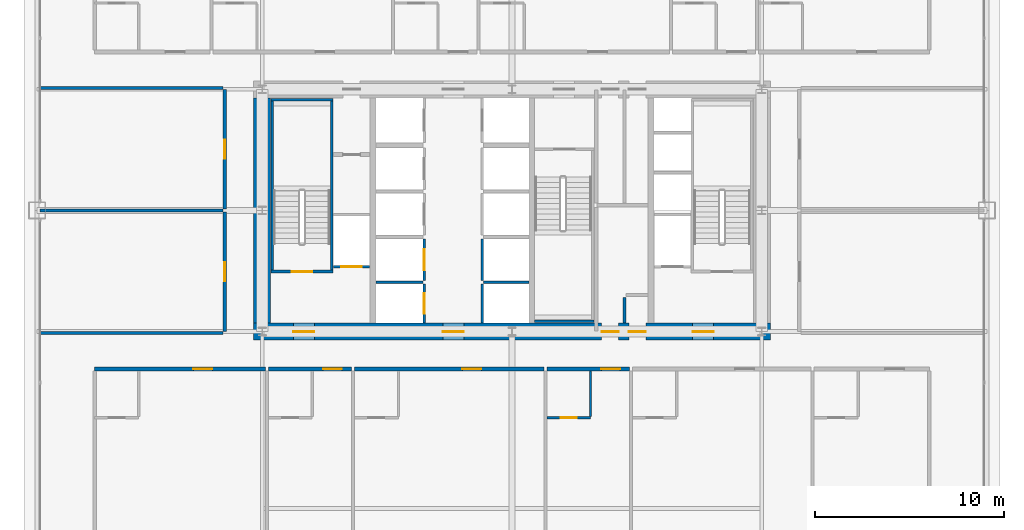
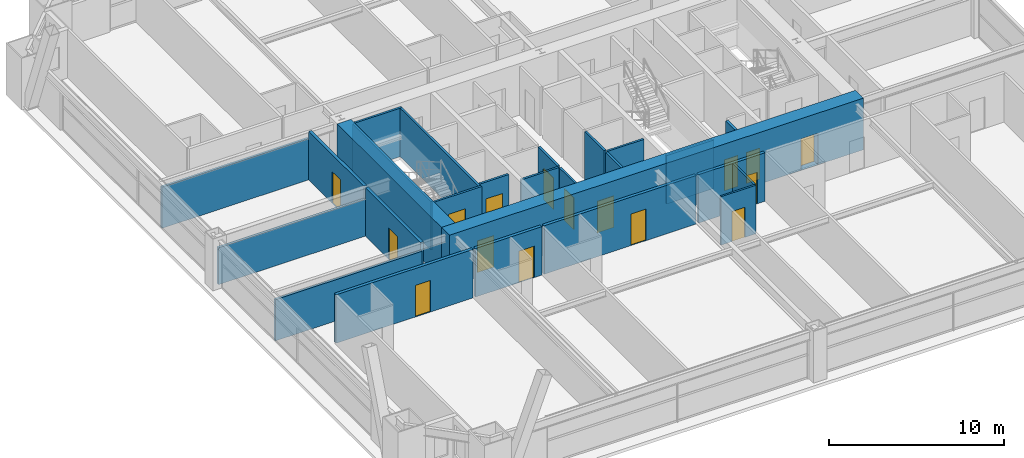
# One storey, part 39 of 43: 26 walls, 16 doors, 16 openings.
"""IFC4 building model written with IfcOpenShell, lengths in metres."""

from ifc_helpers import new_model, si_unit, direction, frame, frame_2d, origin, place, context, subcontext, project, spatial, rectangle, extrude, source, transform, mapped, material, layer, layer_set, type_object, element, fill, save


model = new_model("IFC4")

# Units and contexts
model_context = context("Model", 3, precision=1e-05, world=origin(), true_north=direction((0.0, 1.0)))
body_context = subcontext(model_context, "Body", "Model", "MODEL_VIEW")
ifc_project = project(units=[si_unit("LENGTHUNIT", "METRE"), si_unit("AREAUNIT", "SQUARE_METRE"), si_unit("VOLUMEUNIT", "CUBIC_METRE"), si_unit("PLANEANGLEUNIT", "RADIAN"), si_unit("MASSUNIT", "GRAM", prefix="KILO"), si_unit("THERMODYNAMICTEMPERATUREUNIT", "KELVIN"), si_unit("POWERUNIT", "WATT")], contexts=[model_context])

# Site, building, storey
site_placement = place(None, origin())
site = spatial("IfcSite", under=ifc_project, at=site_placement, CompositionType="ELEMENT")
building_placement = place(site_placement, origin())
building = spatial("IfcBuilding", under=site, at=building_placement, Name="Yuzanri Waterfront Tower", CompositionType="ELEMENT")
storey_placement = place(building_placement, frame((0.0, 0.0, 67.60009765625)))
storey = spatial("IfcBuildingStorey", under=building, at=storey_placement, Name="L17", CompositionType="ELEMENT", Elevation=67.60009765625)

# Wall, opening, door
ifc_material_1 = material(Name="Moisture-Resistant Gypsum Stud Wall", Category="gypsum")
ifc_layer_1 = layer(ifc_material_1, 0.1201171875)
ifc_layer_set_1 = layer_set([ifc_layer_1], Name="Moisture-Resistant Gypsum Stud Wall")
wall_type_1 = type_object("IfcWallType", Name="Bathroom and Kitchen Wet Partition 120", PredefinedType="PARTITIONING", material=ifc_layer_set_1)
wall_1_placement = place(storey_placement, frame((38.844970703125, 14.840087890625, 0.0), z_axis=(0.0, 0.0, 1.0), x_axis=(1.0, 0.0, 0.0)))
wall_1 = element("IfcWall", 1, at=wall_1_placement, inside=storey, type_object=wall_type_1, Name="L17 Partition UW-L17-S4-BS", PredefinedType="PARTITIONING", context=body_context, shape_type="SweptSolid", body=[
    extrude(rectangle(XDim=2.299072265625, YDim=0.1201171875, at=frame_2d((1.1494140625, 0.0))), origin(), (0.0, 0.0, 1.0), 3.3798828125),
])
opening_1_placement = place(wall_1_placement, frame((0.724609375, 0.0, 0.0)))
opening_1 = element("IfcOpeningElement", 2, at=opening_1_placement, cuts=wall_1, Name="Opening ID-0850", PredefinedType="OPENING", context=body_context, shape_type="SweptSolid", body=[
    extrude(rectangle(XDim=0.85009765625, YDim=2.10009765625, at=frame_2d((0.425048828125, 1.050048828125))), frame((0.0, 0.074951171875, 0.0), z_axis=(0.0, -1.0, 0.0), x_axis=(1.0, 0.0, 0.0)), (0.0, 0.0, 1.0), 0.14990234375),
])
ifc_material_2 = material(Name="Moisture-Resistant Lacquered Timber", Category="wood")
door_type_1 = type_object("IfcDoorType", Name="En-Suite Bathroom and Kitchen Swing Door 850x2100", OperationType="NOTDEFINED", PredefinedType="DOOR", material=ifc_material_2)
shared_shape_1 = source(origin(), body_context, "Body", "SweptSolid", [
    extrude(rectangle(XDim=0.85009765625, YDim=2.10009765625, at=frame_2d((0.425048828125, 1.050048828125))), frame((0.0, 0.02490234375, 0.0), z_axis=(0.0, -1.0, 0.0), x_axis=(1.0, 0.0, 0.0)), (0.0, 0.0, 1.0), 0.050048828125),
])
door_1_placement = place(opening_1_placement, origin())
door_1 = element("IfcDoor", 3, at=door_1_placement, inside=storey, type_object=door_type_1, Name="L17 Guest En-Suite Door", OperationType="SINGLE_SWING_LEFT", OverallHeight=2.10009765625, OverallWidth=0.85009765625, PredefinedType="DOOR", context=body_context, shape_type="MappedRepresentation", body=[
    mapped(shared_shape_1, transform((0.0, 0.0, 0.0), scale=1.0)),
])
fill(opening_1, door_1)

# Wall, openings, doors
ifc_material_3 = material(Name="Concrete C60", Category="concrete")
ifc_layer_2 = layer(ifc_material_3, 0.89990234375)
ifc_layer_set_2 = layer_set([ifc_layer_2], Name="Concrete C60")
wall_type_2 = type_object("IfcWallType", Name="Concrete C60 Lower Zone Core Shear Wall 900", PredefinedType="SHEAR", material=ifc_layer_set_2)
wall_2_placement = place(storey_placement, frame((23.35009765625, 19.39990234375, 0.0), z_axis=(0.0, 0.0, 1.0), x_axis=(1.0, 0.0, 0.0)))
wall_2 = element("IfcWall", 4, at=wall_2_placement, inside=storey, type_object=wall_type_2, Name="L17 Core South Shear Wall", PredefinedType="SHEAR", context=body_context, shape_type="SweptSolid", body=[
    extrude(rectangle(XDim=27.2998046875, YDim=0.89990234375, at=frame_2d((13.64990234375, 0.0))), origin(), (0.0, 0.0, 1.0), 3.599853515625),
])
opening_2_placement = place(wall_2_placement, frame((2.10009765625, 0.0, 0.0)))
opening_2 = element("IfcOpeningElement", 5, at=opening_2_placement, cuts=wall_2, Name="Opening FD-1100", PredefinedType="OPENING", context=body_context, shape_type="SweptSolid", body=[
    extrude(rectangle(XDim=1.10009765625, YDim=2.199951171875, at=frame_2d((0.550048828125, 1.10009765625))), frame((0.0, 0.46484375, 0.0), z_axis=(0.0, -1.0, 0.0), x_axis=(1.0, 0.0, 0.0)), (0.0, 0.0, 1.0), 0.9296875),
])
opening_3_placement = place(wall_2_placement, frame((10.0, 0.0, 0.0)))
opening_3 = element("IfcOpeningElement", 6, at=opening_3_placement, cuts=wall_2, Name="Opening FD-1100", PredefinedType="OPENING", context=body_context, shape_type="SweptSolid", body=[
    extrude(rectangle(XDim=1.10009765625, YDim=2.199951171875, at=frame_2d((0.550048828125, 1.10009765625))), frame((0.0, 0.46484375, 0.0), z_axis=(0.0, -1.0, 0.0), x_axis=(1.0, 0.0, 0.0)), (0.0, 0.0, 1.0), 0.9296875),
])
opening_4_placement = place(wall_2_placement, frame((23.199951171875, 0.0, 0.0)))
opening_4 = element("IfcOpeningElement", 7, at=opening_4_placement, cuts=wall_2, Name="Opening FD-1100", PredefinedType="OPENING", context=body_context, shape_type="SweptSolid", body=[
    extrude(rectangle(XDim=1.10009765625, YDim=2.199951171875, at=frame_2d((0.550048828125, 1.10009765625))), frame((0.0, 0.46484375, 0.0), z_axis=(0.0, -1.0, 0.0), x_axis=(1.0, 0.0, 0.0)), (0.0, 0.0, 1.0), 0.9296875),
])
opening_5_placement = place(wall_2_placement, frame((19.820068359375, 0.0, 0.0)))
opening_5 = element("IfcOpeningElement", 8, at=opening_5_placement, cuts=wall_2, Name="Opening FD-0900", PredefinedType="OPENING", context=body_context, shape_type="SweptSolid", body=[
    extrude(rectangle(XDim=0.89990234375, YDim=2.14990234375, at=frame_2d((0.449951171875, 1.074951171875))), frame((0.0, 0.46484375, 0.0), z_axis=(0.0, -1.0, 0.0), x_axis=(1.0, 0.0, 0.0)), (0.0, 0.0, 1.0), 0.9296875),
])
opening_6_placement = place(wall_2_placement, frame((18.3798828125, 0.0, 0.0)))
opening_6 = element("IfcOpeningElement", 9, at=opening_6_placement, cuts=wall_2, Name="Opening FD-0900", PredefinedType="OPENING", context=body_context, shape_type="SweptSolid", body=[
    extrude(rectangle(XDim=0.89990234375, YDim=2.14990234375, at=frame_2d((0.449951171875, 1.074951171875))), frame((0.0, 0.46484375, 0.0), z_axis=(0.0, -1.0, 0.0), x_axis=(1.0, 0.0, 0.0)), (0.0, 0.0, 1.0), 0.9296875),
])
ifc_material_4 = material(Name="Painted Galvanized Fire Steel", Category="steel")
door_type_2 = type_object("IfcDoorType", Name="Smoke-Proof Stair and Lobby Fire Door 1100x2200", OperationType="NOTDEFINED", PredefinedType="DOOR", material=ifc_material_4)
shared_shape_2 = source(origin(), body_context, "Body", "SweptSolid", [
    extrude(rectangle(XDim=1.10009765625, YDim=2.199951171875, at=frame_2d((0.550048828125, 1.10009765625))), frame((0.0, 0.02490234375, 0.0), z_axis=(0.0, -1.0, 0.0), x_axis=(1.0, 0.0, 0.0)), (0.0, 0.0, 1.0), 0.050048828125),
])
door_2_placement = place(opening_2_placement, origin())
door_2 = element("IfcDoor", 10, at=door_2_placement, inside=storey, type_object=door_type_2, Name="L17 West Firefighting Lobby Door", OperationType="SINGLE_SWING_LEFT", OverallHeight=2.199951171875, OverallWidth=1.10009765625, PredefinedType="DOOR", context=body_context, shape_type="MappedRepresentation", body=[
    mapped(shared_shape_2, transform((0.0, 0.0, 0.0), scale=1.0)),
])
fill(opening_2, door_2)
door_3_placement = place(opening_3_placement, origin())
door_3 = element("IfcDoor", 11, at=door_3_placement, inside=storey, type_object=door_type_2, Name="L17 Central Lift Lobby South Door", OperationType="SINGLE_SWING_RIGHT", OverallHeight=2.199951171875, OverallWidth=1.10009765625, PredefinedType="DOOR", context=body_context, shape_type="MappedRepresentation", body=[
    mapped(shared_shape_2, transform((0.0, 0.0, 0.0), scale=1.0)),
])
fill(opening_3, door_3)
door_4_placement = place(opening_4_placement, origin())
door_4 = element("IfcDoor", 12, at=door_4_placement, inside=storey, type_object=door_type_2, Name="L17 East Firefighting Lobby Door", OperationType="SINGLE_SWING_LEFT", OverallHeight=2.199951171875, OverallWidth=1.10009765625, PredefinedType="DOOR", context=body_context, shape_type="MappedRepresentation", body=[
    mapped(shared_shape_2, transform((0.0, 0.0, 0.0), scale=1.0)),
])
fill(opening_4, door_4)
ifc_material_5 = material(Name="Painted Galvanized Fire Steel", Category="steel")
door_type_3 = type_object("IfcDoorType", Name="Riser and Service Room Fire Door 900x2150", OperationType="NOTDEFINED", PredefinedType="DOOR", material=ifc_material_5)
shared_shape_3 = source(origin(), body_context, "Body", "SweptSolid", [
    extrude(rectangle(XDim=0.89990234375, YDim=2.14990234375, at=frame_2d((0.449951171875, 1.074951171875))), frame((0.0, 0.02490234375, 0.0), z_axis=(0.0, -1.0, 0.0), x_axis=(1.0, 0.0, 0.0)), (0.0, 0.0, 1.0), 0.050048828125),
])
door_5_placement = place(opening_5_placement, origin())
door_5 = element("IfcDoor", 13, at=door_5_placement, inside=storey, type_object=door_type_3, Name="L17 East Wet Riser Door", OperationType="SINGLE_SWING_RIGHT", OverallHeight=2.14990234375, OverallWidth=0.89990234375, PredefinedType="DOOR", context=body_context, shape_type="MappedRepresentation", body=[
    mapped(shared_shape_3, transform((0.0, 0.0, 0.0), scale=1.0)),
])
fill(opening_5, door_5)
door_6_placement = place(opening_6_placement, origin())
door_6 = element("IfcDoor", 14, at=door_6_placement, inside=storey, type_object=door_type_3, Name="L17 Housekeeping Room", OperationType="SINGLE_SWING_LEFT", OverallHeight=2.14990234375, OverallWidth=0.89990234375, PredefinedType="DOOR", context=body_context, shape_type="MappedRepresentation", body=[
    mapped(shared_shape_3, transform((0.0, 0.0, 0.0), scale=1.0)),
])
fill(opening_6, door_6)

# Wall, opening, door
ifc_material_6 = material(Name="Concrete C40", Category="concrete")
ifc_layer_3 = layer(ifc_material_6, 0.139892578125)
ifc_layer_set_3 = layer_set([ifc_layer_3], Name="Concrete C40")
wall_type_3 = type_object("IfcWallType", Name="Core Stair Liner and Hoistway Shaft Wall 140", PredefinedType="SOLIDWALL", material=ifc_layer_set_3)
wall_3_placement = place(storey_placement, frame((27.56005859375, 22.830078125, 0.0), z_axis=(0.0, 0.0, 1.0), x_axis=(1.0, 0.0, 0.0)))
wall_3 = element("IfcWall", 15, at=wall_3_placement, inside=storey, type_object=wall_type_3, Name="L17 Lift FL-01 Front Shaft Wall", PredefinedType="SOLIDWALL", context=body_context, shape_type="SweptSolid", body=[
    extrude(rectangle(XDim=1.919921875, YDim=0.139892578125, at=frame_2d((0.9599609375, 0.0))), origin(), (0.0, 0.0, 1.0), 3.3798828125),
])
opening_7_placement = place(wall_3_placement, frame((0.409912109375, 0.0, 0.0)))
opening_7 = element("IfcOpeningElement", 16, at=opening_7_placement, cuts=wall_3, Name="Opening LD-FL-01", PredefinedType="OPENING", context=body_context, shape_type="SweptSolid", body=[
    extrude(rectangle(XDim=1.10009765625, YDim=2.199951171875, at=frame_2d((0.550048828125, 1.10009765625))), frame((0.0, 0.0849609375, 0.0), z_axis=(0.0, -1.0, 0.0), x_axis=(1.0, 0.0, 0.0)), (0.0, 0.0, 1.0), 0.169677734375),
])
ifc_material_7 = material(Name="Brushed Bronze and Stainless Steel Cab", Category="steel")
door_type_4 = type_object("IfcDoorType", Name="Center-Parting Bronze Lift Landing Sliding Door 1100x2200", OperationType="NOTDEFINED", PredefinedType="DOOR", material=ifc_material_7)
shared_shape_4 = source(origin(), body_context, "Body", "SweptSolid", [
    extrude(rectangle(XDim=1.10009765625, YDim=2.199951171875, at=frame_2d((0.550048828125, 1.10009765625))), frame((0.0, 0.02490234375, 0.0), z_axis=(0.0, -1.0, 0.0), x_axis=(1.0, 0.0, 0.0)), (0.0, 0.0, 1.0), 0.050048828125),
])
door_7_placement = place(opening_7_placement, origin())
door_7 = element("IfcDoor", 17, at=door_7_placement, inside=storey, type_object=door_type_4, Name="L17 FL-01 Lift Landing Sliding Door", OperationType="SLIDING_TO_LEFT", OverallHeight=2.199951171875, OverallWidth=1.10009765625, PredefinedType="DOOR", context=body_context, shape_type="MappedRepresentation", body=[
    mapped(shared_shape_4, transform((0.0, 0.0, 0.0), scale=1.0)),
])
fill(opening_7, door_7)

wall_4_placement = place(storey_placement, frame((32.3701171875, 19.860107421875, 0.0), z_axis=(0.0, 0.0, 1.0), x_axis=(0.0, 1.0, 0.0)))
wall_4 = element("IfcWall", 18, at=wall_4_placement, inside=storey, type_object=wall_type_3, Name="L17 Lift PL-01 Front Shaft Wall", PredefinedType="SOLIDWALL", context=body_context, shape_type="SweptSolid", body=[
    extrude(rectangle(XDim=2.039794921875, YDim=0.139892578125, at=frame_2d((1.02001953125, 0.0))), origin(), (0.0, 0.0, 1.0), 3.3798828125),
])
opening_8_placement = place(wall_4_placement, frame((0.469970703125, 0.0, 0.0)))
opening_8 = element("IfcOpeningElement", 19, at=opening_8_placement, cuts=wall_4, Name="Opening LD-PL-01", PredefinedType="OPENING", context=body_context, shape_type="SweptSolid", body=[
    extrude(rectangle(XDim=1.10009765625, YDim=2.199951171875, at=frame_2d((0.550048828125, 1.10009765625))), frame((0.0, 0.0849609375, 0.0), z_axis=(0.0, -1.0, 0.0), x_axis=(1.0, 0.0, 0.0)), (0.0, 0.0, 1.0), 0.169677734375),
])
door_8_placement = place(opening_8_placement, origin())
door_8 = element("IfcDoor", 20, at=door_8_placement, inside=storey, type_object=door_type_4, Name="L17 PL-01 Lift Landing Sliding Door", OperationType="SLIDING_TO_LEFT", OverallHeight=2.199951171875, OverallWidth=1.10009765625, PredefinedType="DOOR", context=body_context, shape_type="MappedRepresentation", body=[
    mapped(shared_shape_4, transform((0.0, 0.0, 0.0), scale=1.0)),
])
fill(opening_8, door_8)

wall_5_placement = place(storey_placement, frame((32.3701171875, 22.10009765625, 0.0), z_axis=(0.0, 0.0, 1.0), x_axis=(0.0, 1.0, 0.0)))
wall_5 = element("IfcWall", 21, at=wall_5_placement, inside=storey, type_object=wall_type_3, Name="L17 Lift PL-02 Front Shaft Wall", PredefinedType="SOLIDWALL", context=body_context, shape_type="SweptSolid", body=[
    extrude(rectangle(XDim=2.199951171875, YDim=0.139892578125, at=frame_2d((1.10009765625, 0.0))), origin(), (0.0, 0.0, 1.0), 3.3798828125),
])
opening_9_placement = place(wall_5_placement, frame((0.550048828125, 0.0, 0.0)))
opening_9 = element("IfcOpeningElement", 22, at=opening_9_placement, cuts=wall_5, Name="Opening LD-PL-02", PredefinedType="OPENING", context=body_context, shape_type="SweptSolid", body=[
    extrude(rectangle(XDim=1.10009765625, YDim=2.199951171875, at=frame_2d((0.550048828125, 1.10009765625))), frame((0.0, 0.0849609375, 0.0), z_axis=(0.0, -1.0, 0.0), x_axis=(1.0, 0.0, 0.0)), (0.0, 0.0, 1.0), 0.169677734375),
])
door_9_placement = place(opening_9_placement, origin())
door_9 = element("IfcDoor", 23, at=door_9_placement, inside=storey, type_object=door_type_4, Name="L17 PL-02 Lift Landing Sliding Door", OperationType="SLIDING_TO_RIGHT", OverallHeight=2.199951171875, OverallWidth=1.10009765625, PredefinedType="DOOR", context=body_context, shape_type="MappedRepresentation", body=[
    mapped(shared_shape_4, transform((0.0, 0.0, 0.0), scale=1.0)),
])
fill(opening_9, door_9)

wall_6_placement = place(storey_placement, frame((24.260009765625, 22.570068359375, 0.0), z_axis=(0.0, 0.0, 1.0), x_axis=(1.0, 0.0, 0.0)))
wall_6 = element("IfcWall", 24, at=wall_6_placement, inside=storey, type_object=wall_type_3, Name="L17 Shaft Wall STW-L17-ST-01-S", PredefinedType="SOLIDWALL", context=body_context, shape_type="SweptSolid", body=[
    extrude(rectangle(XDim=3.280029296875, YDim=0.139892578125, at=frame_2d((1.64013671875, 0.0))), origin(), (0.0, 0.0, 1.0), 3.3798828125),
])
opening_10_placement = place(wall_6_placement, frame((1.090087890625, 0.0, 0.0)))
opening_10 = element("IfcOpeningElement", 25, at=opening_10_placement, cuts=wall_6, Name="Opening FD-1100", PredefinedType="OPENING", context=body_context, shape_type="SweptSolid", body=[
    extrude(rectangle(XDim=1.10009765625, YDim=2.199951171875, at=frame_2d((0.550048828125, 1.10009765625))), frame((0.0, 0.0849609375, 0.0), z_axis=(0.0, -1.0, 0.0), x_axis=(1.0, 0.0, 0.0)), (0.0, 0.0, 1.0), 0.169677734375),
])
door_10_placement = place(opening_10_placement, origin())
door_10 = element("IfcDoor", 26, at=door_10_placement, inside=storey, type_object=door_type_2, Name="L17 Stair ST-01 Fire Door", OperationType="SINGLE_SWING_RIGHT", OverallHeight=2.199951171875, OverallWidth=1.10009765625, PredefinedType="DOOR", context=body_context, shape_type="MappedRepresentation", body=[
    mapped(shared_shape_2, transform((0.0, 0.0, 0.0), scale=1.0)),
])
fill(opening_10, door_10)

ifc_material_8 = material(Name="Autoclaved Aerated Concrete Blockwork", Category="masonry")
ifc_layer_4 = layer(ifc_material_8, 0.199951171875)
ifc_layer_set_4 = layer_set([ifc_layer_4], Name="Autoclaved Aerated Concrete Blockwork")
wall_type_4 = type_object("IfcWallType", Name="Corridor and Unit Party Fire Wall 200", PredefinedType="PARTITIONING", material=ifc_layer_set_4)
wall_7_placement = place(storey_placement, frame((14.93994140625, 17.419921875, 0.0), z_axis=(0.0, 0.0, 1.0), x_axis=(1.0, 0.0, 0.0)))
wall_7 = element("IfcWall", 27, at=wall_7_placement, inside=storey, type_object=wall_type_4, Name="L17 Partition UW-L17-S1-CN", PredefinedType="PARTITIONING", context=body_context, shape_type="SweptSolid", body=[
    extrude(rectangle(XDim=9.0380859375, YDim=0.199951171875, at=frame_2d((4.51904296875, 0.0))), origin(), (0.0, 0.0, 1.0), 3.3798828125),
])
opening_11_placement = place(wall_7_placement, frame((5.22412109375, 0.0, 0.0)))
opening_11 = element("IfcOpeningElement", 28, at=opening_11_placement, cuts=wall_7, Name="Opening FD-1000", PredefinedType="OPENING", context=body_context, shape_type="SweptSolid", body=[
    extrude(rectangle(XDim=1.0, YDim=2.199951171875, at=frame_2d((0.5, 1.10009765625))), frame((0.0, 0.11474609375, 0.0), z_axis=(0.0, -1.0, 0.0), x_axis=(1.0, 0.0, 0.0)), (0.0, 0.0, 1.0), 0.229736328125),
])
ifc_material_9 = material(Name="Engineered Oak Fire-Rated Timber", Category="wood")
door_type_5 = type_object("IfcDoorType", Name="Guestroom and Apartment Entrance Fire Door 1000x2200", OperationType="NOTDEFINED", PredefinedType="DOOR", material=ifc_material_9)
shared_shape_5 = source(origin(), body_context, "Body", "SweptSolid", [
    extrude(rectangle(XDim=1.0, YDim=2.199951171875, at=frame_2d((0.5, 1.10009765625))), frame((0.0, 0.02490234375, 0.0), z_axis=(0.0, -1.0, 0.0), x_axis=(1.0, 0.0, 0.0)), (0.0, 0.0, 1.0), 0.050048828125),
])
door_11_placement = place(opening_11_placement, origin())
door_11 = element("IfcDoor", 29, at=door_11_placement, inside=storey, type_object=door_type_5, Name="L17 Junior Riverview Suite Entrance Door", OperationType="SINGLE_SWING_RIGHT", OverallHeight=2.199951171875, OverallWidth=1.0, PredefinedType="DOOR", context=body_context, shape_type="MappedRepresentation", body=[
    mapped(shared_shape_5, transform((0.0, 0.0, 0.0), scale=1.0)),
])
fill(opening_11, door_11)

wall_8_placement = place(storey_placement, frame((24.137939453125, 17.419921875, 0.0), z_axis=(0.0, 0.0, 1.0), x_axis=(1.0, 0.0, 0.0)))
wall_8 = element("IfcWall", 30, at=wall_8_placement, inside=storey, type_object=wall_type_4, Name="L17 Partition UW-L17-S2-CN", PredefinedType="PARTITIONING", context=body_context, shape_type="SweptSolid", body=[
    extrude(rectangle(XDim=4.3701171875, YDim=0.199951171875, at=frame_2d((2.18505859375, 0.0))), origin(), (0.0, 0.0, 1.0), 3.3798828125),
])
opening_12_placement = place(wall_8_placement, frame((2.875, 0.0, 0.0)))
opening_12 = element("IfcOpeningElement", 31, at=opening_12_placement, cuts=wall_8, Name="Opening FD-1000", PredefinedType="OPENING", context=body_context, shape_type="SweptSolid", body=[
    extrude(rectangle(XDim=1.0, YDim=2.199951171875, at=frame_2d((0.5, 1.10009765625))), frame((0.0, 0.11474609375, 0.0), z_axis=(0.0, -1.0, 0.0), x_axis=(1.0, 0.0, 0.0)), (0.0, 0.0, 1.0), 0.229736328125),
])
door_12_placement = place(opening_12_placement, origin())
door_12 = element("IfcDoor", 32, at=door_12_placement, inside=storey, type_object=door_type_5, Name="L17 Junior Riverview Suite Entrance Door", OperationType="SINGLE_SWING_RIGHT", OverallHeight=2.199951171875, OverallWidth=1.0, PredefinedType="DOOR", context=body_context, shape_type="MappedRepresentation", body=[
    mapped(shared_shape_5, transform((0.0, 0.0, 0.0), scale=1.0)),
])
fill(opening_12, door_12)

wall_9_placement = place(storey_placement, frame((28.66796875, 17.419921875, 0.0), z_axis=(0.0, 0.0, 1.0), x_axis=(1.0, 0.0, 0.0)))
wall_9 = element("IfcWall", 33, at=wall_9_placement, inside=storey, type_object=wall_type_4, Name="L17 Partition UW-L17-S3-CN", PredefinedType="PARTITIONING", context=body_context, shape_type="SweptSolid", body=[
    extrude(rectangle(XDim=10.01708984375, YDim=0.199951171875, at=frame_2d((5.008544921875, 0.0))), origin(), (0.0, 0.0, 1.0), 3.3798828125),
])
opening_13_placement = place(wall_9_placement, frame((5.714111328125, 0.0, 0.0)))
opening_13 = element("IfcOpeningElement", 34, at=opening_13_placement, cuts=wall_9, Name="Opening FD-1000", PredefinedType="OPENING", context=body_context, shape_type="SweptSolid", body=[
    extrude(rectangle(XDim=1.0, YDim=2.199951171875, at=frame_2d((0.5, 1.10009765625))), frame((0.0, 0.11474609375, 0.0), z_axis=(0.0, -1.0, 0.0), x_axis=(1.0, 0.0, 0.0)), (0.0, 0.0, 1.0), 0.229736328125),
])
door_13_placement = place(opening_13_placement, origin())
door_13 = element("IfcDoor", 35, at=door_13_placement, inside=storey, type_object=door_type_5, Name="L17 Junior Riverview Suite Entrance Door", OperationType="SINGLE_SWING_RIGHT", OverallHeight=2.199951171875, OverallWidth=1.0, PredefinedType="DOOR", context=body_context, shape_type="MappedRepresentation", body=[
    mapped(shared_shape_5, transform((0.0, 0.0, 0.0), scale=1.0)),
])
fill(opening_13, door_13)

wall_10_placement = place(storey_placement, frame((38.844970703125, 17.419921875, 0.0), z_axis=(0.0, 0.0, 1.0), x_axis=(1.0, 0.0, 0.0)))
wall_10 = element("IfcWall", 36, at=wall_10_placement, inside=storey, type_object=wall_type_4, Name="L17 Partition UW-L17-S4-CN", PredefinedType="PARTITIONING", context=body_context, shape_type="SweptSolid", body=[
    extrude(rectangle(XDim=4.369140625, YDim=0.199951171875, at=frame_2d((2.1845703125, 0.0))), origin(), (0.0, 0.0, 1.0), 3.3798828125),
])
opening_14_placement = place(wall_10_placement, frame((2.8740234375, 0.0, 0.0)))
opening_14 = element("IfcOpeningElement", 37, at=opening_14_placement, cuts=wall_10, Name="Opening FD-1000", PredefinedType="OPENING", context=body_context, shape_type="SweptSolid", body=[
    extrude(rectangle(XDim=1.0, YDim=2.199951171875, at=frame_2d((0.5, 1.10009765625))), frame((0.0, 0.11474609375, 0.0), z_axis=(0.0, -1.0, 0.0), x_axis=(1.0, 0.0, 0.0)), (0.0, 0.0, 1.0), 0.229736328125),
])
door_14_placement = place(opening_14_placement, origin())
door_14 = element("IfcDoor", 38, at=door_14_placement, inside=storey, type_object=door_type_5, Name="L17 Junior Riverview Suite Entrance Door", OperationType="SINGLE_SWING_RIGHT", OverallHeight=2.199951171875, OverallWidth=1.0, PredefinedType="DOOR", context=body_context, shape_type="MappedRepresentation", body=[
    mapped(shared_shape_5, transform((0.0, 0.0, 0.0), scale=1.0)),
])
fill(opening_14, door_14)

wall_11_placement = place(storey_placement, frame((21.820068359375, 19.409912109375, 0.0), z_axis=(0.0, 0.0, 1.0), x_axis=(0.0, 1.0, 0.0)))
wall_11 = element("IfcWall", 39, at=wall_11_placement, inside=storey, type_object=wall_type_4, Name="L17 Partition UW-L17-W1-CW", PredefinedType="PARTITIONING", context=body_context, shape_type="SweptSolid", body=[
    extrude(rectangle(XDim=6.31005859375, YDim=0.199951171875, at=frame_2d((3.155029296875, 0.0))), origin(), (0.0, 0.0, 1.0), 3.3798828125),
])
opening_15_placement = place(wall_11_placement, frame((2.655029296875, 0.0, 0.0)))
opening_15 = element("IfcOpeningElement", 40, at=opening_15_placement, cuts=wall_11, Name="Opening FD-1000", PredefinedType="OPENING", context=body_context, shape_type="SweptSolid", body=[
    extrude(rectangle(XDim=1.0, YDim=2.199951171875, at=frame_2d((0.5, 1.10009765625))), frame((0.0, 0.11474609375, 0.0), z_axis=(0.0, -1.0, 0.0), x_axis=(1.0, 0.0, 0.0)), (0.0, 0.0, 1.0), 0.229736328125),
])
door_15_placement = place(opening_15_placement, origin())
door_15 = element("IfcDoor", 41, at=door_15_placement, inside=storey, type_object=door_type_5, Name="L17 Tea Ceremony Restaurant Entrance Door", OperationType="SINGLE_SWING_RIGHT", OverallHeight=2.199951171875, OverallWidth=1.0, PredefinedType="DOOR", context=body_context, shape_type="MappedRepresentation", body=[
    mapped(shared_shape_5, transform((0.0, 0.0, 0.0), scale=1.0)),
])
fill(opening_15, door_15)

wall_12_placement = place(storey_placement, frame((21.820068359375, 25.8798828125, 0.0), z_axis=(0.0, 0.0, 1.0), x_axis=(0.0, 1.0, 0.0)))
wall_12 = element("IfcWall", 42, at=wall_12_placement, inside=storey, type_object=wall_type_4, Name="L17 Partition UW-L17-W2-CW", PredefinedType="PARTITIONING", context=body_context, shape_type="SweptSolid", body=[
    extrude(rectangle(XDim=6.31005859375, YDim=0.199951171875, at=frame_2d((3.155029296875, 0.0))), origin(), (0.0, 0.0, 1.0), 3.3798828125),
])
opening_16_placement = place(wall_12_placement, frame((2.655029296875, 0.0, 0.0)))
opening_16 = element("IfcOpeningElement", 43, at=opening_16_placement, cuts=wall_12, Name="Opening FD-1000", PredefinedType="OPENING", context=body_context, shape_type="SweptSolid", body=[
    extrude(rectangle(XDim=1.0, YDim=2.199951171875, at=frame_2d((0.5, 1.10009765625))), frame((0.0, 0.11474609375, 0.0), z_axis=(0.0, -1.0, 0.0), x_axis=(1.0, 0.0, 0.0)), (0.0, 0.0, 1.0), 0.229736328125),
])
door_16_placement = place(opening_16_placement, origin())
door_16 = element("IfcDoor", 44, at=door_16_placement, inside=storey, type_object=door_type_5, Name="L17 Specialty Dining Restaurant Entrance Door", OperationType="SINGLE_SWING_LEFT", OverallHeight=2.199951171875, OverallWidth=1.0, PredefinedType="DOOR", context=body_context, shape_type="MappedRepresentation", body=[
    mapped(shared_shape_5, transform((0.0, 0.0, 0.0), scale=1.0)),
])
fill(opening_16, door_16)

# Walls
shared_shape_6 = source(origin(), body_context, "Body", "SweptSolid", [
    extrude(rectangle(XDim=11.89990234375, YDim=0.89990234375, at=frame_2d((5.949951171875, 0.0))), origin(), (0.0, 0.0, 1.0), 3.599853515625),
])
wall_13_placement = place(storey_placement, frame((23.800048828125, 19.85009765625, 0.0), z_axis=(0.0, 0.0, 1.0), x_axis=(0.0, 1.0, 0.0)))
element("IfcWall", 45, at=wall_13_placement, inside=storey, type_object=wall_type_2, Name="L17 Core West Shear Wall", PredefinedType="SHEAR", context=body_context, shape_type="MappedRepresentation", body=[
    mapped(shared_shape_6, transform((0.0, 0.0, 0.0), scale=1.0)),
])
shared_shape_7 = source(origin(), body_context, "Body", "SweptSolid", [
    extrude(rectangle(XDim=2.5, YDim=0.139892578125, at=frame_2d((1.25, 0.0))), origin(), (0.0, 0.0, 1.0), 3.3798828125),
])
wall_14_placement = place(storey_placement, frame((29.800048828125, 22.0, 0.0), z_axis=(0.0, 0.0, 1.0), x_axis=(1.0, 0.0, 0.0)))
element("IfcWall", 46, at=wall_14_placement, inside=storey, type_object=wall_type_3, Name="L17 Lift PL-01 Divider Wall", PredefinedType="SOLIDWALL", context=body_context, shape_type="MappedRepresentation", body=[
    mapped(shared_shape_7, transform((0.0, 0.0, 0.0), scale=1.0)),
])
shared_shape_8 = source(origin(), body_context, "Body", "SweptSolid", [
    extrude(rectangle(XDim=2.039794921875, YDim=0.139892578125, at=frame_2d((1.02001953125, 0.0))), origin(), (0.0, 0.0, 1.0), 3.3798828125),
])
wall_15_placement = place(storey_placement, frame((35.429931640625, 19.860107421875, 0.0), z_axis=(0.0, 0.0, 1.0), x_axis=(0.0, 1.0, 0.0)))
element("IfcWall", 47, at=wall_15_placement, inside=storey, type_object=wall_type_3, Name="L17 Lift PL-05 Front Shaft Wall", PredefinedType="SOLIDWALL", context=body_context, shape_type="MappedRepresentation", body=[
    mapped(shared_shape_8, transform((0.0, 0.0, 0.0), scale=1.0)),
])
shared_shape_9 = source(origin(), body_context, "Body", "SweptSolid", [
    extrude(rectangle(XDim=2.39990234375, YDim=0.139892578125, at=frame_2d((1.199951171875, 0.0))), origin(), (0.0, 0.0, 1.0), 3.3798828125),
])
wall_16_placement = place(storey_placement, frame((35.5, 22.0, 0.0), z_axis=(0.0, 0.0, 1.0), x_axis=(1.0, 0.0, 0.0)))
element("IfcWall", 48, at=wall_16_placement, inside=storey, type_object=wall_type_3, Name="L17 Lift PL-05 Divider Wall", PredefinedType="SOLIDWALL", context=body_context, shape_type="MappedRepresentation", body=[
    mapped(shared_shape_9, transform((0.0, 0.0, 0.0), scale=1.0)),
])
shared_shape_10 = source(origin(), body_context, "Body", "SweptSolid", [
    extrude(rectangle(XDim=2.199951171875, YDim=0.139892578125, at=frame_2d((1.10009765625, 0.0))), origin(), (0.0, 0.0, 1.0), 3.3798828125),
])
wall_17_placement = place(storey_placement, frame((35.429931640625, 22.10009765625, 0.0), z_axis=(0.0, 0.0, 1.0), x_axis=(0.0, 1.0, 0.0)))
element("IfcWall", 49, at=wall_17_placement, inside=storey, type_object=wall_type_3, Name="L17 Lift PL-06 Front Shaft Wall", PredefinedType="SOLIDWALL", context=body_context, shape_type="MappedRepresentation", body=[
    mapped(shared_shape_10, transform((0.0, 0.0, 0.0), scale=1.0)),
])
shared_shape_11 = source(origin(), body_context, "Body", "SweptSolid", [
    extrude(rectangle(XDim=3.280029296875, YDim=0.139892578125, at=frame_2d((1.64013671875, 0.0))), origin(), (0.0, 0.0, 1.0), 3.3798828125),
])
wall_18_placement = place(storey_placement, frame((24.260009765625, 31.64990234375, 0.0), z_axis=(0.0, 0.0, 1.0), x_axis=(1.0, 0.0, 0.0)))
element("IfcWall", 50, at=wall_18_placement, inside=storey, type_object=wall_type_3, Name="L17 Stair ST-01 North Shaft Wall", PredefinedType="SOLIDWALL", context=body_context, shape_type="MappedRepresentation", body=[
    mapped(shared_shape_11, transform((0.0, 0.0, 0.0), scale=1.0)),
])
shared_shape_12 = source(origin(), body_context, "Body", "SweptSolid", [
    extrude(rectangle(XDim=8.940185546875, YDim=0.139892578125, at=frame_2d((4.47021484375, 0.0))), origin(), (0.0, 0.0, 1.0), 3.3798828125),
])
for number, where, z_axis, x_axis, name in (
    (51, (24.330078125, 22.639892578125, 0.0), (0.0, 0.0, 1.0), (0.0, 1.0, 0.0), "L17 Stair ST-01 West Shaft Wall"),
    (52, (27.469970703125, 22.639892578125, 0.0), (0.0, 0.0, 1.0), (0.0, 1.0, 0.0), "L17 Stair ST-01 East Shaft Wall"),
):
    element("IfcWall", number, at=place(storey_placement, frame(where, z_axis=z_axis, x_axis=x_axis)), inside=storey, type_object=wall_type_3, Name=name, PredefinedType="SOLIDWALL", context=body_context, shape_type="MappedRepresentation", body=[
        mapped(shared_shape_12, transform((0.0, 0.0, 0.0), scale=1.0)),
    ])
shared_shape_13 = source(origin(), body_context, "Body", "SweptSolid", [
    extrude(rectangle(XDim=3.14013671875, YDim=0.139892578125, at=frame_2d((1.570068359375, 0.0))), origin(), (0.0, 0.0, 1.0), 3.3798828125),
])
wall_19_placement = place(storey_placement, frame((38.199951171875, 19.949951171875, 0.0), z_axis=(0.0, 0.0, 1.0), x_axis=(1.0, 0.0, 0.0)))
element("IfcWall", 53, at=wall_19_placement, inside=storey, type_object=wall_type_3, Name="L17 Stair ST-03 South Shaft Wall", PredefinedType="SOLIDWALL", context=body_context, shape_type="MappedRepresentation", body=[
    mapped(shared_shape_13, transform((0.0, 0.0, 0.0), scale=1.0)),
])
ifc_material_10 = material(Name="Gypsum Fireboard Acoustic Stud Wall", Category="gypsum")
ifc_layer_5 = layer(ifc_material_10, 0.159912109375)
ifc_layer_set_5 = layer_set([ifc_layer_5], Name="Gypsum Fireboard Acoustic Stud Wall")
wall_type_5 = type_object("IfcWallType", Name="Acoustic Suite Demising Partition 160", PredefinedType="PARTITIONING", material=ifc_layer_set_5)
shared_shape_14 = source(origin(), body_context, "Body", "SweptSolid", [
    extrude(rectangle(XDim=1.33984375, YDim=0.159912109375, at=frame_2d((0.669921875, 0.0))), origin(), (0.0, 0.0, 1.0), 3.3798828125),
])
wall_20_placement = place(storey_placement, frame((42.949951171875, 19.860107421875, 0.0), z_axis=(0.0, 0.0, 1.0), x_axis=(0.0, 1.0, 0.0)))
element("IfcWall", 54, at=wall_20_placement, inside=storey, type_object=wall_type_5, Name="L17 East Wet Riser West Wall", PredefinedType="PARTITIONING", context=body_context, shape_type="MappedRepresentation", body=[
    mapped(shared_shape_14, transform((0.0, 0.0, 0.0), scale=1.0)),
])
shared_shape_15 = source(origin(), body_context, "Body", "SweptSolid", [
    extrude(rectangle(XDim=2.420166015625, YDim=0.1201171875, at=frame_2d((1.2099609375, 0.0))), origin(), (0.0, 0.0, 1.0), 3.3798828125),
])
wall_21_placement = place(storey_placement, frame((41.14404296875, 14.89990234375, 0.0), z_axis=(0.0, 0.0, 1.0), x_axis=(0.0, 1.0, 0.0)))
element("IfcWall", 55, at=wall_21_placement, inside=storey, type_object=wall_type_1, Name="L17-S4 En-Suite Side Wall", PredefinedType="PARTITIONING", context=body_context, shape_type="MappedRepresentation", body=[
    mapped(shared_shape_15, transform((0.0, 0.0, 0.0), scale=1.0)),
])
shared_shape_16 = source(origin(), body_context, "Body", "SweptSolid", [
    extrude(rectangle(XDim=9.669921875, YDim=0.159912109375, at=frame_2d((4.8349609375, 0.0))), origin(), (0.0, 0.0, 1.0), 2.574951171875),
])
wall_22_placement = place(storey_placement, frame((12.050048828125, 25.800048828125, 0.0), z_axis=(0.0, 0.0, 1.0), x_axis=(1.0, 0.0, 0.0)))
element("IfcWall", 56, at=wall_22_placement, inside=storey, type_object=wall_type_5, Name="L17-W1 Wing Party Wall", PredefinedType="PARTITIONING", context=body_context, shape_type="MappedRepresentation", body=[
    mapped(shared_shape_16, transform((0.0, 0.0, 0.0), scale=1.0)),
])
shared_shape_17 = source(origin(), body_context, "Body", "SweptSolid", [
    extrude(rectangle(XDim=9.669921875, YDim=0.159912109375, at=frame_2d((4.8349609375, 0.0))), origin(), (0.0, 0.0, 1.0), 2.875),
])
for number, where, z_axis, x_axis, name in (
    (57, (12.050048828125, 19.330078125, 0.0), (0.0, 0.0, 1.0), (1.0, 0.0, 0.0), "L17-W1 Wing South End Wall"),
    (58, (12.050048828125, 32.27001953125, 0.0), (0.0, 0.0, 1.0), (1.0, 0.0, 0.0), "L17-W2 Wing North End Wall"),
):
    element("IfcWall", number, at=place(storey_placement, frame(where, z_axis=z_axis, x_axis=x_axis)), inside=storey, type_object=wall_type_5, Name=name, PredefinedType="PARTITIONING", context=body_context, shape_type="MappedRepresentation", body=[
        mapped(shared_shape_17, transform((0.0, 0.0, 0.0), scale=1.0)),
    ])

save(model, "model.ifc")
